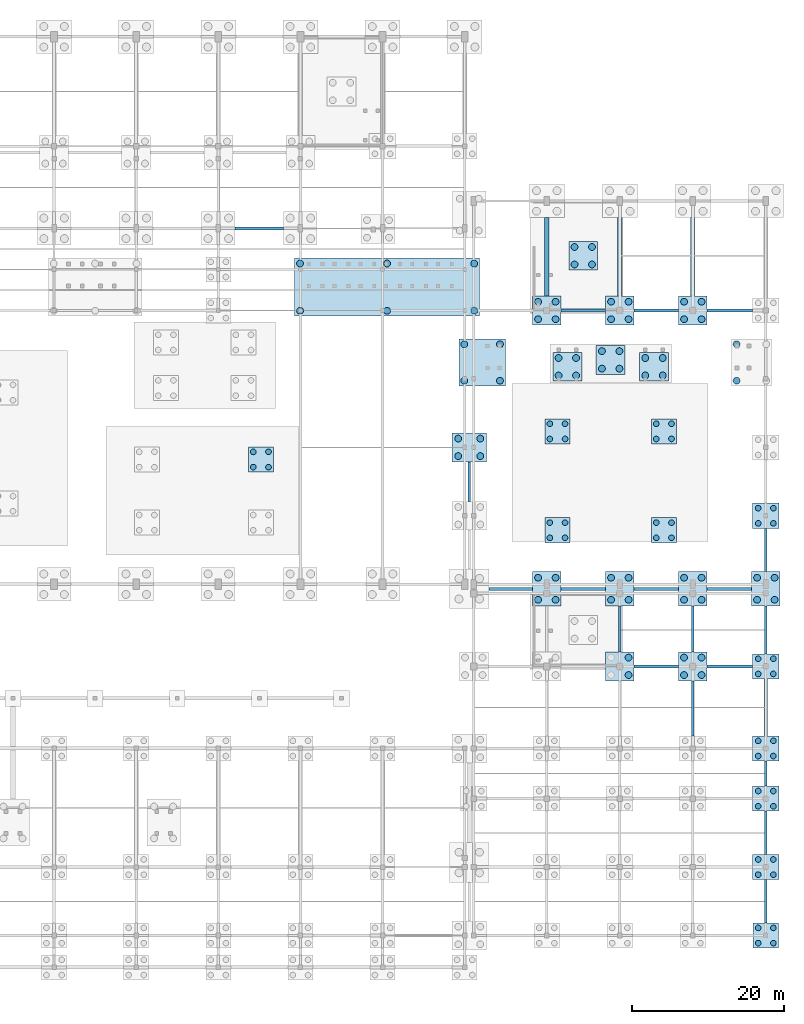
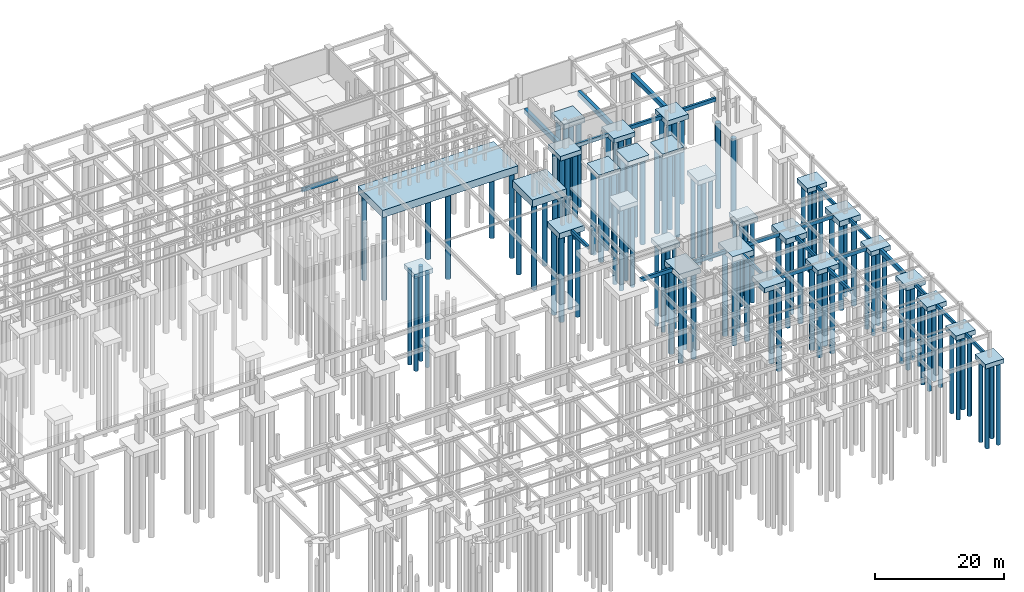
# One storey, part 9 of 33: 110 piles, 50 footings.
"""IFC4 building model written with IfcOpenShell, lengths in metres."""

from ifc_helpers import new_model, si_unit, direction, frame, origin, origin_2d, place, context, subcontext, project, spatial, rectangle, circle, extrude, material, material_profile, profile_set, type_object, element, save


model = new_model("IFC4")

# Units and contexts
model_context = context("Model", 3, precision=1e-05, world=origin(), true_north=direction((0.0, 1.0)))
body_context = subcontext(model_context, "Body", "Model", "MODEL_VIEW")
ifc_project = project(units=[si_unit("LENGTHUNIT", "METRE"), si_unit("AREAUNIT", "SQUARE_METRE"), si_unit("VOLUMEUNIT", "CUBIC_METRE"), si_unit("PLANEANGLEUNIT", "RADIAN"), si_unit("MASSUNIT", "GRAM", prefix="KILO")], contexts=[model_context])

# Site, building, storey
site_placement = place(None, origin())
site = spatial("IfcSite", under=ifc_project, at=site_placement, CompositionType="ELEMENT")
building_placement = place(site_placement, origin())
building = spatial("IfcBuilding", under=site, at=building_placement, Name="Suirenkawa Promenade Aquatics Centre", CompositionType="ELEMENT")
storey_placement = place(building_placement, frame((0.0, 0.0, -4.800048828125)))
storey = spatial("IfcBuildingStorey", under=building, at=storey_placement, Name="B1", CompositionType="ELEMENT", Elevation=-4.800048828125)

# Footings
ifc_material = material(Name="Concrete M35", Category="concrete")
footing_type_1 = type_object("IfcFootingType", Name="FT-GB-350x650", PredefinedType="FOOTING_BEAM", material=ifc_material)
footing_1_placement = place(storey_placement, frame((155.39990234375, 63.89990234375, -0.64990234375), z_axis=(0.0, 0.0, 1.0), x_axis=(0.0, 1.0, 0.0)))
element("IfcFooting", 1, at=footing_1_placement, inside=storey, type_object=footing_type_1, Name="Ground tie beam GB-06 GB-0287", PredefinedType="FOOTING_BEAM", context=body_context, shape_type="SweptSolid", body=[
    extrude(rectangle(XDim=5.199951171875, YDim=0.35009765625, at=origin_2d()), origin(), (0.0, 0.0, 1.0), 0.64990234375),
])
footing_2_placement = place(storey_placement, frame((175.199951171875, 44.52490234375, -0.64990234375), z_axis=(0.0, 0.0, 1.0), x_axis=(0.0, 1.0, 0.0)))
element("IfcFooting", 2, at=footing_2_placement, inside=storey, type_object=footing_type_1, Name="Ground tie beam GB-06 GB-0298", PredefinedType="FOOTING_BEAM", context=body_context, shape_type="SweptSolid", body=[
    extrude(rectangle(XDim=6.050048828125, YDim=0.35009765625, at=origin_2d()), origin(), (0.0, 0.0, 1.0), 0.64990234375),
])
footing_3_placement = place(storey_placement, frame((184.800048828125, 34.074951171875, -0.64990234375), z_axis=(0.0, 0.0, 1.0), x_axis=(0.0, 1.0, 0.0)))
element("IfcFooting", 3, at=footing_3_placement, inside=storey, type_object=footing_type_1, Name="Ground tie beam GB-06 GB-0303", PredefinedType="FOOTING_BEAM", context=body_context, shape_type="SweptSolid", body=[
    extrude(rectangle(XDim=7.25, YDim=0.35009765625, at=origin_2d()), origin(), (0.0, 0.0, 1.0), 0.64990234375),
])
footing_4_placement = place(storey_placement, frame((184.800048828125, 44.52490234375, -0.64990234375), z_axis=(0.0, 0.0, 1.0), x_axis=(0.0, 1.0, 0.0)))
element("IfcFooting", 4, at=footing_4_placement, inside=storey, type_object=footing_type_1, Name="Ground tie beam GB-06 GB-0304", PredefinedType="FOOTING_BEAM", context=body_context, shape_type="SweptSolid", body=[
    extrude(rectangle(XDim=6.050048828125, YDim=0.35009765625, at=origin_2d()), origin(), (0.0, 0.0, 1.0), 0.64990234375),
])
for number, where, z_axis, x_axis, name in (
    (5, (194.39990234375, 8.699951171875, -0.64990234375), (0.0, 0.0, 1.0), (0.0, 1.0, 0.0), "Ground tie beam GB-06 GB-0306"),
    (6, (194.39990234375, 17.699951171875, -0.64990234375), (0.0, 0.0, 1.0), (0.0, 1.0, 0.0), "Ground tie beam GB-06 GB-0307"),
):
    element("IfcFooting", number, at=place(storey_placement, frame(where, z_axis=z_axis, x_axis=x_axis)), inside=storey, type_object=footing_type_1, Name=name, PredefinedType="FOOTING_BEAM", context=body_context, shape_type="SweptSolid", body=[
        extrude(rectangle(XDim=5.699951171875, YDim=0.35009765625, at=origin_2d()), origin(), (0.0, 0.0, 1.0), 0.64990234375),
    ])
footing_5_placement = place(storey_placement, frame((194.39990234375, 25.5, -0.64990234375), z_axis=(0.0, 0.0, 1.0), x_axis=(0.0, 1.0, 0.0)))
element("IfcFooting", 7, at=footing_5_placement, inside=storey, type_object=footing_type_1, Name="Ground tie beam GB-06 GB-0308", PredefinedType="FOOTING_BEAM", context=body_context, shape_type="SweptSolid", body=[
    extrude(rectangle(XDim=3.300048828125, YDim=0.35009765625, at=origin_2d()), origin(), (0.0, 0.0, 1.0), 0.64990234375),
])
footing_6_placement = place(storey_placement, frame((194.39990234375, 44.39990234375, -0.64990234375), z_axis=(0.0, 0.0, 1.0), x_axis=(0.0, 1.0, 0.0)))
element("IfcFooting", 8, at=footing_6_placement, inside=storey, type_object=footing_type_1, Name="Ground tie beam GB-06 GB-0310", PredefinedType="FOOTING_BEAM", context=body_context, shape_type="SweptSolid", body=[
    extrude(rectangle(XDim=6.300048828125, YDim=0.35009765625, at=origin_2d()), origin(), (0.0, 0.0, 1.0), 0.64990234375),
])
footing_7_placement = place(storey_placement, frame((194.39990234375, 54.89990234375, -0.64990234375), z_axis=(0.0, 0.0, 1.0), x_axis=(0.0, 1.0, 0.0)))
element("IfcFooting", 9, at=footing_7_placement, inside=storey, type_object=footing_type_1, Name="Ground tie beam GB-06 GB-0311", PredefinedType="FOOTING_BEAM", context=body_context, shape_type="SweptSolid", body=[
    extrude(rectangle(XDim=5.699951171875, YDim=0.35009765625, at=origin_2d()), origin(), (0.0, 0.0, 1.0), 0.64990234375),
])
footing_type_2 = type_object("IfcFootingType", Name="FT-GB-400x700", PredefinedType="FOOTING_BEAM", material=ifc_material)
footing_8_placement = place(storey_placement, frame((180.0, 39.60009765625, -0.69970703125), z_axis=(0.0, 0.0, 1.0), x_axis=(1.0, 0.0, 0.0)))
element("IfcFooting", 10, at=footing_8_placement, inside=storey, type_object=footing_type_2, Name="Ground tie beam GB-01 GB-0079", PredefinedType="FOOTING_BEAM", context=body_context, shape_type="SweptSolid", body=[
    extrude(rectangle(XDim=5.800048828125, YDim=0.39990234375, at=origin_2d()), origin(), (0.0, 0.0, 1.0), 0.699951171875),
])
footing_9_placement = place(storey_placement, frame((189.675048828125, 39.60009765625, -0.69970703125), z_axis=(0.0, 0.0, 1.0), x_axis=(1.0, 0.0, 0.0)))
element("IfcFooting", 11, at=footing_9_placement, inside=storey, type_object=footing_type_2, Name="Ground tie beam GB-01 GB-0080", PredefinedType="FOOTING_BEAM", context=body_context, shape_type="SweptSolid", body=[
    extrude(rectangle(XDim=5.949951171875, YDim=0.39990234375, at=origin_2d()), origin(), (0.0, 0.0, 1.0), 0.699951171875),
])
footing_10_placement = place(storey_placement, frame((160.85009765625, 49.800048828125, -0.69970703125), z_axis=(0.0, 0.0, 1.0), x_axis=(1.0, 0.0, 0.0)))
element("IfcFooting", 12, at=footing_10_placement, inside=storey, type_object=footing_type_2, Name="Ground tie beam GB-01 GB-0084", PredefinedType="FOOTING_BEAM", context=body_context, shape_type="SweptSolid", body=[
    extrude(rectangle(XDim=5.699951171875, YDim=0.39990234375, at=origin_2d()), origin(), (0.0, 0.0, 1.0), 0.699951171875),
])
for number, where, z_axis, x_axis, name in (
    (13, (170.39990234375, 49.800048828125, -0.69970703125), (0.0, 0.0, 1.0), (1.0, 0.0, 0.0), "Ground tie beam GB-01 GB-0085"),
    (14, (180.0, 49.800048828125, -0.69970703125), (0.0, 0.0, 1.0), (1.0, 0.0, 0.0), "Ground tie beam GB-01 GB-0086"),
    (15, (189.60009765625, 49.800048828125, -0.69970703125), (0.0, 0.0, 1.0), (1.0, 0.0, 0.0), "Ground tie beam GB-01 GB-0087"),
    (16, (170.39990234375, 86.39990234375, -0.69970703125), (0.0, 0.0, 1.0), (1.0, 0.0, 0.0), "Ground tie beam GB-01 GB-0117"),
    (17, (180.0, 86.39990234375, -0.69970703125), (0.0, 0.0, 1.0), (1.0, 0.0, 0.0), "Ground tie beam GB-01 GB-0118"),
):
    element("IfcFooting", number, at=place(storey_placement, frame(where, z_axis=z_axis, x_axis=x_axis)), inside=storey, type_object=footing_type_2, Name=name, PredefinedType="FOOTING_BEAM", context=body_context, shape_type="SweptSolid", body=[
        extrude(rectangle(XDim=5.800048828125, YDim=0.39990234375, at=origin_2d()), origin(), (0.0, 0.0, 1.0), 0.699951171875),
    ])
footing_11_placement = place(storey_placement, frame((189.675048828125, 86.39990234375, -0.69970703125), z_axis=(0.0, 0.0, 1.0), x_axis=(1.0, 0.0, 0.0)))
element("IfcFooting", 18, at=footing_11_placement, inside=storey, type_object=footing_type_2, Name="Ground tie beam GB-01 GB-0119", PredefinedType="FOOTING_BEAM", context=body_context, shape_type="SweptSolid", body=[
    extrude(rectangle(XDim=5.949951171875, YDim=0.39990234375, at=origin_2d()), origin(), (0.0, 0.0, 1.0), 0.699951171875),
])
footing_12_placement = place(storey_placement, frame((127.800048828125, 97.199951171875, -0.69970703125), z_axis=(0.0, 0.0, 1.0), x_axis=(1.0, 0.0, 0.0)))
element("IfcFooting", 19, at=footing_12_placement, inside=storey, type_object=footing_type_2, Name="Ground tie beam GB-01 GB-0134", PredefinedType="FOOTING_BEAM", context=body_context, shape_type="SweptSolid", body=[
    extrude(rectangle(XDim=6.39990234375, YDim=0.39990234375, at=origin_2d()), origin(), (0.0, 0.0, 1.0), 0.699951171875),
])
footing_type_3 = type_object("IfcFootingType", Name="FT-GB-500x800", PredefinedType="FOOTING_BEAM", material=ifc_material)
footing_13_placement = place(storey_placement, frame((194.39990234375, 34.199951171875, -0.7998046875), z_axis=(0.0, 0.0, 1.0), x_axis=(0.0, 1.0, 0.0)))
element("IfcFooting", 20, at=footing_13_placement, inside=storey, type_object=footing_type_3, Name="Ground tie beam GB-03 GB-0309", PredefinedType="FOOTING_BEAM", context=body_context, shape_type="SweptSolid", body=[
    extrude(rectangle(XDim=7.5, YDim=0.5, at=origin_2d()), origin(), (0.0, 0.0, 1.0), 0.800048828125),
])
footing_type_4 = type_object("IfcFootingType", Name="FT-GB-600x900", PredefinedType="FOOTING_BEAM", material=ifc_material)
for number, where, z_axis, x_axis, name in (
    (21, (165.60009765625, 93.449951171875, -0.89990234375), (0.0, 0.0, 1.0), (0.0, 1.0, 0.0), "Ground tie beam GB-05 GB-0293"),
    (22, (175.199951171875, 93.449951171875, -0.89990234375), (0.0, 0.0, 1.0), (0.0, 1.0, 0.0), "Ground tie beam GB-05 GB-0299"),
    (23, (184.800048828125, 93.449951171875, -0.89990234375), (0.0, 0.0, 1.0), (0.0, 1.0, 0.0), "Ground tie beam GB-05 GB-0305"),
):
    element("IfcFooting", number, at=place(storey_placement, frame(where, z_axis=z_axis, x_axis=x_axis)), inside=storey, type_object=footing_type_4, Name=name, PredefinedType="FOOTING_BEAM", context=body_context, shape_type="SweptSolid", body=[
        extrude(rectangle(XDim=10.300048828125, YDim=0.60009765625, at=origin_2d()), origin(), (0.0, 0.0, 1.0), 0.89990234375),
    ])
footing_type_5 = type_object("IfcFootingType", Name="FT-PC-3300x3300x850", PredefinedType="PILE_CAP", material=ifc_material)
footing_14_placement = place(storey_placement, frame((194.39990234375, 4.199951171875, -0.85009765625), z_axis=(0.0, 0.0, 1.0), x_axis=(1.0, 0.0, 0.0)))
element("IfcFooting", 24, at=footing_14_placement, inside=storey, type_object=footing_type_5, Name="Foundation PC-02 CAP-032", PredefinedType="PILE_CAP", context=body_context, shape_type="SweptSolid", body=[
    extrude(rectangle(XDim=3.300048828125, YDim=3.300048828125, at=origin_2d()), origin(), (0.0, 0.0, 1.0), 0.85009765625),
])
footing_type_6 = type_object("IfcFootingType", Name="FT-PC-3500x3300x880", PredefinedType="PILE_CAP", material=ifc_material)
for number, where, z_axis, x_axis, name in (
    (25, (194.39990234375, 13.199951171875, -0.8798828125), (0.0, 0.0, 1.0), (1.0, 0.0, 0.0), "Foundation PC-03 CAP-050"),
    (26, (194.39990234375, 22.199951171875, -0.8798828125), (0.0, 0.0, 1.0), (1.0, 0.0, 0.0), "Foundation PC-03 CAP-063"),
    (27, (194.39990234375, 28.800048828125, -0.8798828125), (0.0, 0.0, 1.0), (1.0, 0.0, 0.0), "Foundation PC-03 CAP-081"),
    (28, (194.39990234375, 39.60009765625, -0.8798828125), (0.0, 0.0, 1.0), (1.0, 0.0, 0.0), "Foundation PC-03 CAP-098"),
    (29, (194.39990234375, 59.39990234375, -0.8798828125), (0.0, 0.0, 1.0), (1.0, 0.0, 0.0), "Foundation PC-03 CAP-126"),
):
    element("IfcFooting", number, at=place(storey_placement, frame(where, z_axis=z_axis, x_axis=x_axis)), inside=storey, type_object=footing_type_6, Name=name, PredefinedType="PILE_CAP", context=body_context, shape_type="SweptSolid", body=[
        extrude(rectangle(XDim=3.5, YDim=3.300048828125, at=origin_2d()), origin(), (0.0, 0.0, 1.0), 0.8798828125),
    ])
footing_type_7 = type_object("IfcFootingType", Name="FT-PC-3800x3800x900", PredefinedType="PILE_CAP", material=ifc_material)
for number, where, z_axis, x_axis, name in (
    (30, (175.199951171875, 39.60009765625, -0.89990234375), (0.0, 0.0, 1.0), (1.0, 0.0, 0.0), "Foundation PC-04 CAP-096"),
    (31, (184.800048828125, 39.60009765625, -0.89990234375), (0.0, 0.0, 1.0), (1.0, 0.0, 0.0), "Foundation PC-04 CAP-097"),
    (32, (165.60009765625, 86.39990234375, -0.89990234375), (0.0, 0.0, 1.0), (1.0, 0.0, 0.0), "Foundation PC-04 CAP-155"),
    (33, (175.199951171875, 86.39990234375, -0.89990234375), (0.0, 0.0, 1.0), (1.0, 0.0, 0.0), "Foundation PC-04 CAP-156"),
    (34, (184.800048828125, 86.39990234375, -0.89990234375), (0.0, 0.0, 1.0), (1.0, 0.0, 0.0), "Foundation PC-04 CAP-157"),
    (35, (168.300048828125, 79.0, -0.89990234375), (0.0, 0.0, 1.0), (1.0, 0.0, 0.0), "Foundation PC-04 CAP-241"),
    (36, (174.0, 79.89990234375, -0.89990234375), (0.0, 0.0, 1.0), (1.0, 0.0, 0.0), "Foundation PC-04 CAP-242"),
    (37, (179.699951171875, 79.0, -0.89990234375), (0.0, 0.0, 1.0), (1.0, 0.0, 0.0), "Foundation PC-04 CAP-243"),
    (38, (170.39990234375, 93.60009765625, -0.89990234375), (0.0, 0.0, 1.0), (1.0, 0.0, 0.0), "Foundation PC-04 CAP-246"),
):
    element("IfcFooting", number, at=place(storey_placement, frame(where, z_axis=z_axis, x_axis=x_axis)), inside=storey, type_object=footing_type_7, Name=name, PredefinedType="PILE_CAP", context=body_context, shape_type="SweptSolid", body=[
        extrude(rectangle(XDim=3.800048828125, YDim=3.800048828125, at=origin_2d()), origin(), (0.0, 0.0, 1.0), 0.89990234375),
    ])
footing_type_8 = type_object("IfcFootingType", Name="FT-PC-DIVE-3300x3300x850", PredefinedType="PILE_CAP", material=ifc_material)
for number, where, z_axis, x_axis, name in (
    (39, (167.0, 57.5, -1.5), (0.0, 0.0, 1.0), (1.0, 0.0, 0.0), "Foundation PC-11 CAP-237"),
    (40, (167.0, 70.5, -1.5), (0.0, 0.0, 1.0), (1.0, 0.0, 0.0), "Foundation PC-11 CAP-238"),
    (41, (181.0, 57.5, -1.5), (0.0, 0.0, 1.0), (1.0, 0.0, 0.0), "Foundation PC-11 CAP-239"),
    (42, (181.0, 70.5, -1.5), (0.0, 0.0, 1.0), (1.0, 0.0, 0.0), "Foundation PC-11 CAP-240"),
):
    element("IfcFooting", number, at=place(storey_placement, frame(where, z_axis=z_axis, x_axis=x_axis)), inside=storey, type_object=footing_type_8, Name=name, PredefinedType="PILE_CAP", context=body_context, shape_type="SweptSolid", body=[
        extrude(rectangle(XDim=3.300048828125, YDim=3.300048828125, at=origin_2d()), origin(), (0.0, 0.0, 1.0), 0.85009765625),
    ])
footing_type_9 = type_object("IfcFootingType", Name="FT-PC-TRAIN-3300x3300x850", PredefinedType="PILE_CAP", material=ifc_material)
footing_15_placement = place(storey_placement, frame((128.0, 66.800048828125, 1.570068359375), z_axis=(0.0, 0.0, 1.0), x_axis=(1.0, 0.0, 0.0)))
element("IfcFooting", 43, at=footing_15_placement, inside=storey, type_object=footing_type_9, Name="Foundation PC-09 CAP-232", PredefinedType="PILE_CAP", context=body_context, shape_type="SweptSolid", body=[
    extrude(rectangle(XDim=3.300048828125, YDim=3.300048828125, at=origin_2d()), origin(), (0.0, 0.0, 1.0), 0.85009765625),
])
footing_type_10 = type_object("IfcFootingType", Name="FT-PCC-24300x7620", PredefinedType="PILE_CAP", material=ifc_material)
footing_16_placement = place(storey_placement, frame((144.60009765625, 89.462890625, -1.39990234375), z_axis=(0.0, 0.0, 1.0), x_axis=(1.0, 0.0, 0.0)))
element("IfcFooting", 44, at=footing_16_placement, inside=storey, type_object=footing_type_10, Name="Foundation PCC-04 CAP-154", PredefinedType="PILE_CAP", context=body_context, shape_type="SweptSolid", body=[
    extrude(rectangle(XDim=24.300048828125, YDim=7.6201171875, at=origin_2d()), origin(), (0.0, 0.0, 1.0), 1.39990234375),
])
footing_type_11 = type_object("IfcFootingType", Name="FT-PCC-3800x4500x1050", PredefinedType="PILE_CAP", material=ifc_material)
for number, where, z_axis, x_axis, name in (
    (45, (165.60009765625, 49.800048828125, -1.0498046875), (0.0, 0.0, 1.0), (1.0, 0.0, 0.0), "Foundation PCC-02 CAP-106"),
    (46, (175.199951171875, 49.800048828125, -1.0498046875), (0.0, 0.0, 1.0), (1.0, 0.0, 0.0), "Foundation PCC-02 CAP-107"),
    (47, (184.800048828125, 49.800048828125, -1.0498046875), (0.0, 0.0, 1.0), (1.0, 0.0, 0.0), "Foundation PCC-02 CAP-108"),
    (48, (194.39990234375, 49.800048828125, -1.0498046875), (0.0, 0.0, 1.0), (1.0, 0.0, 0.0), "Foundation PCC-02 CAP-109"),
):
    element("IfcFooting", number, at=place(storey_placement, frame(where, z_axis=z_axis, x_axis=x_axis)), inside=storey, type_object=footing_type_11, Name=name, PredefinedType="PILE_CAP", context=body_context, shape_type="SweptSolid", body=[
        extrude(rectangle(XDim=3.800048828125, YDim=4.5, at=origin_2d()), origin(), (0.0, 0.0, 1.0), 1.050048828125),
    ])
footing_type_12 = type_object("IfcFootingType", Name="FT-PCC-4500x3800x1050", PredefinedType="PILE_CAP", material=ifc_material)
footing_17_placement = place(storey_placement, frame((155.39990234375, 68.39990234375, -1.0498046875), z_axis=(0.0, 0.0, 1.0), x_axis=(1.0, 0.0, 0.0)))
element("IfcFooting", 49, at=footing_17_placement, inside=storey, type_object=footing_type_12, Name="Foundation PCC-01 CAP-133", PredefinedType="PILE_CAP", context=body_context, shape_type="SweptSolid", body=[
    extrude(rectangle(XDim=4.5, YDim=3.800048828125, at=origin_2d()), origin(), (0.0, 0.0, 1.0), 1.050048828125),
])
footing_type_13 = type_object("IfcFootingType", Name="FT-PCC-6090x6200", PredefinedType="PILE_CAP", material=ifc_material)
footing_18_placement = place(storey_placement, frame((157.094970703125, 79.56201171875, -1.39990234375), z_axis=(0.0, 0.0, 1.0), x_axis=(1.0, 0.0, 0.0)))
element("IfcFooting", 50, at=footing_18_placement, inside=storey, type_object=footing_type_13, Name="Foundation PCC-04 CAP-141", PredefinedType="PILE_CAP", context=body_context, shape_type="SweptSolid", body=[
    extrude(rectangle(XDim=6.090087890625, YDim=6.199951171875, at=origin_2d()), origin(), (0.0, 0.0, 1.0), 1.39990234375),
])

# Piles
ifc_material_profile_1 = material_profile(ifc_material, circle(Radius=0.375, at=origin_2d()), Name="PILE D750", Category="concrete")
ifc_profile_set_1 = profile_set([ifc_material_profile_1], Name="Concrete M35")
pile_type_1 = type_object("IfcPileType", Name="PT-BORED-750", PredefinedType="BORED", material=ifc_profile_set_1)
for number, where, z_axis, x_axis, name in (
    (51, (193.39990234375, 3.199951171875, -0.75), (0.0, 0.0, -1.0), (1.0, 0.0, 0.0), "Bored pile PL-02 PL-0107"),
    (52, (193.39990234375, 5.199951171875, -0.75), (0.0, 0.0, -1.0), (1.0, 0.0, 0.0), "Bored pile PL-02 PL-0108"),
    (53, (195.39990234375, 3.199951171875, -0.75), (0.0, 0.0, -1.0), (1.0, 0.0, 0.0), "Bored pile PL-02 PL-0109"),
    (54, (195.39990234375, 5.199951171875, -0.75), (0.0, 0.0, -1.0), (1.0, 0.0, 0.0), "Bored pile PL-02 PL-0110"),
    (55, (193.39990234375, 12.199951171875, -0.75), (0.0, 0.0, -1.0), (1.0, 0.0, 0.0), "Bored pile PL-02 PL-0179"),
    (56, (193.39990234375, 14.199951171875, -0.75), (0.0, 0.0, -1.0), (1.0, 0.0, 0.0), "Bored pile PL-02 PL-0180"),
    (57, (195.39990234375, 12.199951171875, -0.75), (0.0, 0.0, -1.0), (1.0, 0.0, 0.0), "Bored pile PL-02 PL-0181"),
    (58, (195.39990234375, 14.199951171875, -0.75), (0.0, 0.0, -1.0), (1.0, 0.0, 0.0), "Bored pile PL-02 PL-0182"),
    (59, (193.39990234375, 21.199951171875, -0.75), (0.0, 0.0, -1.0), (1.0, 0.0, 0.0), "Bored pile PL-02 PL-0231"),
    (60, (193.39990234375, 23.199951171875, -0.75), (0.0, 0.0, -1.0), (1.0, 0.0, 0.0), "Bored pile PL-02 PL-0232"),
    (61, (195.39990234375, 21.199951171875, -0.75), (0.0, 0.0, -1.0), (1.0, 0.0, 0.0), "Bored pile PL-02 PL-0233"),
    (62, (195.39990234375, 23.199951171875, -0.75), (0.0, 0.0, -1.0), (1.0, 0.0, 0.0), "Bored pile PL-02 PL-0234"),
    (63, (193.39990234375, 27.800048828125, -0.75), (0.0, 0.0, -1.0), (1.0, 0.0, 0.0), "Bored pile PL-02 PL-0305"),
    (64, (193.39990234375, 29.800048828125, -0.75), (0.0, 0.0, -1.0), (1.0, 0.0, 0.0), "Bored pile PL-02 PL-0306"),
    (65, (195.39990234375, 27.800048828125, -0.75), (0.0, 0.0, -1.0), (1.0, 0.0, 0.0), "Bored pile PL-02 PL-0307"),
    (66, (195.39990234375, 29.800048828125, -0.75), (0.0, 0.0, -1.0), (1.0, 0.0, 0.0), "Bored pile PL-02 PL-0308"),
    (67, (193.39990234375, 38.60009765625, -0.75), (0.0, 0.0, -1.0), (1.0, 0.0, 0.0), "Bored pile PL-02 PL-0349"),
    (68, (193.39990234375, 40.60009765625, -0.75), (0.0, 0.0, -1.0), (1.0, 0.0, 0.0), "Bored pile PL-02 PL-0350"),
    (69, (195.39990234375, 38.60009765625, -0.75), (0.0, 0.0, -1.0), (1.0, 0.0, 0.0), "Bored pile PL-02 PL-0351"),
    (70, (195.39990234375, 40.60009765625, -0.75), (0.0, 0.0, -1.0), (1.0, 0.0, 0.0), "Bored pile PL-02 PL-0352"),
    (71, (193.39990234375, 58.39990234375, -0.75), (0.0, 0.0, -1.0), (1.0, 0.0, 0.0), "Bored pile PL-02 PL-0461"),
    (72, (193.39990234375, 60.39990234375, -0.75), (0.0, 0.0, -1.0), (1.0, 0.0, 0.0), "Bored pile PL-02 PL-0462"),
    (73, (195.39990234375, 58.39990234375, -0.75), (0.0, 0.0, -1.0), (1.0, 0.0, 0.0), "Bored pile PL-02 PL-0463"),
    (74, (195.39990234375, 60.39990234375, -0.75), (0.0, 0.0, -1.0), (1.0, 0.0, 0.0), "Bored pile PL-02 PL-0464"),
):
    element("IfcPile", number, at=place(storey_placement, frame(where, z_axis=z_axis, x_axis=x_axis)), inside=storey, type_object=pile_type_1, Name=name, PredefinedType="BORED", context=body_context, shape_type="SweptSolid", body=[
        extrude(circle(Radius=0.375, at=origin_2d()), origin(), (0.0, 0.0, 1.0), 15.60009765625),
    ])
for number, where, z_axis, x_axis, name in (
    (75, (127.0, 65.800048828125, 1.670166015625), (0.0, 0.0, -1.0), (1.0, 0.0, 0.0), "Bored pile PL-02 PL-0891"),
    (76, (127.0, 67.800048828125, 1.670166015625), (0.0, 0.0, -1.0), (1.0, 0.0, 0.0), "Bored pile PL-02 PL-0892"),
    (77, (129.0, 65.800048828125, 1.670166015625), (0.0, 0.0, -1.0), (1.0, 0.0, 0.0), "Bored pile PL-02 PL-0893"),
    (78, (129.0, 67.800048828125, 1.670166015625), (0.0, 0.0, -1.0), (1.0, 0.0, 0.0), "Bored pile PL-02 PL-0894"),
):
    element("IfcPile", number, at=place(storey_placement, frame(where, z_axis=z_axis, x_axis=x_axis)), inside=storey, type_object=pile_type_1, Name=name, PredefinedType="BORED", context=body_context, shape_type="SweptSolid", body=[
        extrude(circle(Radius=0.375, at=origin_2d()), origin(), (0.0, 0.0, 1.0), 18.02001953125),
    ])
for number, where, z_axis, x_axis, name in (
    (79, (166.0, 56.5, -1.39990234375), (0.0, 0.0, -1.0), (1.0, 0.0, 0.0), "Bored pile PL-02 PL-0911"),
    (80, (166.0, 58.5, -1.39990234375), (0.0, 0.0, -1.0), (1.0, 0.0, 0.0), "Bored pile PL-02 PL-0912"),
    (81, (168.0, 56.5, -1.39990234375), (0.0, 0.0, -1.0), (1.0, 0.0, 0.0), "Bored pile PL-02 PL-0913"),
    (82, (168.0, 58.5, -1.39990234375), (0.0, 0.0, -1.0), (1.0, 0.0, 0.0), "Bored pile PL-02 PL-0914"),
    (83, (166.0, 69.5, -1.39990234375), (0.0, 0.0, -1.0), (1.0, 0.0, 0.0), "Bored pile PL-02 PL-0915"),
    (84, (166.0, 71.5, -1.39990234375), (0.0, 0.0, -1.0), (1.0, 0.0, 0.0), "Bored pile PL-02 PL-0916"),
    (85, (168.0, 69.5, -1.39990234375), (0.0, 0.0, -1.0), (1.0, 0.0, 0.0), "Bored pile PL-02 PL-0917"),
    (86, (168.0, 71.5, -1.39990234375), (0.0, 0.0, -1.0), (1.0, 0.0, 0.0), "Bored pile PL-02 PL-0918"),
    (87, (180.0, 56.5, -1.39990234375), (0.0, 0.0, -1.0), (1.0, 0.0, 0.0), "Bored pile PL-02 PL-0919"),
    (88, (180.0, 58.5, -1.39990234375), (0.0, 0.0, -1.0), (1.0, 0.0, 0.0), "Bored pile PL-02 PL-0920"),
    (89, (182.0, 56.5, -1.39990234375), (0.0, 0.0, -1.0), (1.0, 0.0, 0.0), "Bored pile PL-02 PL-0921"),
    (90, (182.0, 58.5, -1.39990234375), (0.0, 0.0, -1.0), (1.0, 0.0, 0.0), "Bored pile PL-02 PL-0922"),
    (91, (180.0, 69.5, -1.39990234375), (0.0, 0.0, -1.0), (1.0, 0.0, 0.0), "Bored pile PL-02 PL-0923"),
    (92, (180.0, 71.5, -1.39990234375), (0.0, 0.0, -1.0), (1.0, 0.0, 0.0), "Bored pile PL-02 PL-0924"),
    (93, (182.0, 69.5, -1.39990234375), (0.0, 0.0, -1.0), (1.0, 0.0, 0.0), "Bored pile PL-02 PL-0925"),
    (94, (182.0, 71.5, -1.39990234375), (0.0, 0.0, -1.0), (1.0, 0.0, 0.0), "Bored pile PL-02 PL-0926"),
):
    element("IfcPile", number, at=place(storey_placement, frame(where, z_axis=z_axis, x_axis=x_axis)), inside=storey, type_object=pile_type_1, Name=name, PredefinedType="BORED", context=body_context, shape_type="SweptSolid", body=[
        extrude(circle(Radius=0.375, at=origin_2d()), origin(), (0.0, 0.0, 1.0), 15.60009765625),
    ])
ifc_material_profile_2 = material_profile(ifc_material, circle(Radius=0.449951171875, at=origin_2d()), Name="PILE D900", Category="concrete")
ifc_profile_set_2 = profile_set([ifc_material_profile_2], Name="Concrete M35")
pile_type_2 = type_object("IfcPileType", Name="PT-BORED-900", PredefinedType="BORED", material=ifc_profile_set_2)
for number, where, z_axis, x_axis, name in (
    (95, (176.35009765625, 38.449951171875, -0.800048828125), (0.0, 0.0, -1.0), (1.0, 0.0, 0.0), "Bored pile PL-03 PL-0343"),
    (96, (176.35009765625, 40.75, -0.800048828125), (0.0, 0.0, -1.0), (1.0, 0.0, 0.0), "Bored pile PL-03 PL-0344"),
    (97, (183.64990234375, 38.449951171875, -0.800048828125), (0.0, 0.0, -1.0), (1.0, 0.0, 0.0), "Bored pile PL-03 PL-0345"),
    (98, (183.64990234375, 40.75, -0.800048828125), (0.0, 0.0, -1.0), (1.0, 0.0, 0.0), "Bored pile PL-03 PL-0346"),
    (99, (185.949951171875, 38.449951171875, -0.800048828125), (0.0, 0.0, -1.0), (1.0, 0.0, 0.0), "Bored pile PL-03 PL-0347"),
    (100, (185.949951171875, 40.75, -0.800048828125), (0.0, 0.0, -1.0), (1.0, 0.0, 0.0), "Bored pile PL-03 PL-0348"),
    (101, (154.75, 77.162109375, -1.300048828125), (0.0, 0.0, -1.0), (1.0, 0.0, 0.0), "Bored pile PL-03 PL-0521"),
    (102, (154.75, 81.9619140625, -1.300048828125), (0.0, 0.0, -1.0), (1.0, 0.0, 0.0), "Bored pile PL-03 PL-0522"),
    (103, (159.43994140625, 77.162109375, -1.300048828125), (0.0, 0.0, -1.0), (1.0, 0.0, 0.0), "Bored pile PL-03 PL-0523"),
    (104, (159.43994140625, 81.9619140625, -1.300048828125), (0.0, 0.0, -1.0), (1.0, 0.0, 0.0), "Bored pile PL-03 PL-0524"),
    (105, (190.56005859375, 77.162109375, -1.300048828125), (0.0, 0.0, -1.0), (1.0, 0.0, 0.0), "Bored pile PL-03 PL-0525"),
    (106, (190.56005859375, 81.9619140625, -1.300048828125), (0.0, 0.0, -1.0), (1.0, 0.0, 0.0), "Bored pile PL-03 PL-0526"),
    (107, (133.14990234375, 86.35302734375, -1.300048828125), (0.0, 0.0, -1.0), (1.0, 0.0, 0.0), "Bored pile PL-03 PL-0577"),
    (108, (133.14990234375, 92.572998046875, -1.300048828125), (0.0, 0.0, -1.0), (1.0, 0.0, 0.0), "Bored pile PL-03 PL-0578"),
    (109, (144.60009765625, 86.35302734375, -1.300048828125), (0.0, 0.0, -1.0), (1.0, 0.0, 0.0), "Bored pile PL-03 PL-0579"),
    (110, (144.60009765625, 92.572998046875, -1.300048828125), (0.0, 0.0, -1.0), (1.0, 0.0, 0.0), "Bored pile PL-03 PL-0580"),
    (111, (156.050048828125, 86.35302734375, -1.300048828125), (0.0, 0.0, -1.0), (1.0, 0.0, 0.0), "Bored pile PL-03 PL-0581"),
    (112, (156.050048828125, 92.572998046875, -1.300048828125), (0.0, 0.0, -1.0), (1.0, 0.0, 0.0), "Bored pile PL-03 PL-0582"),
    (113, (164.449951171875, 85.25, -0.800048828125), (0.0, 0.0, -1.0), (1.0, 0.0, 0.0), "Bored pile PL-03 PL-0583"),
    (114, (164.449951171875, 87.550048828125, -0.800048828125), (0.0, 0.0, -1.0), (1.0, 0.0, 0.0), "Bored pile PL-03 PL-0584"),
    (115, (166.75, 85.25, -0.800048828125), (0.0, 0.0, -1.0), (1.0, 0.0, 0.0), "Bored pile PL-03 PL-0585"),
    (116, (166.75, 87.550048828125, -0.800048828125), (0.0, 0.0, -1.0), (1.0, 0.0, 0.0), "Bored pile PL-03 PL-0586"),
    (117, (174.050048828125, 85.25, -0.800048828125), (0.0, 0.0, -1.0), (1.0, 0.0, 0.0), "Bored pile PL-03 PL-0587"),
    (118, (174.050048828125, 87.550048828125, -0.800048828125), (0.0, 0.0, -1.0), (1.0, 0.0, 0.0), "Bored pile PL-03 PL-0588"),
    (119, (176.35009765625, 85.25, -0.800048828125), (0.0, 0.0, -1.0), (1.0, 0.0, 0.0), "Bored pile PL-03 PL-0589"),
    (120, (176.35009765625, 87.550048828125, -0.800048828125), (0.0, 0.0, -1.0), (1.0, 0.0, 0.0), "Bored pile PL-03 PL-0590"),
    (121, (183.64990234375, 85.25, -0.800048828125), (0.0, 0.0, -1.0), (1.0, 0.0, 0.0), "Bored pile PL-03 PL-0591"),
    (122, (183.64990234375, 87.550048828125, -0.800048828125), (0.0, 0.0, -1.0), (1.0, 0.0, 0.0), "Bored pile PL-03 PL-0592"),
    (123, (185.949951171875, 85.25, -0.800048828125), (0.0, 0.0, -1.0), (1.0, 0.0, 0.0), "Bored pile PL-03 PL-0593"),
    (124, (185.949951171875, 87.550048828125, -0.800048828125), (0.0, 0.0, -1.0), (1.0, 0.0, 0.0), "Bored pile PL-03 PL-0594"),
    (125, (167.14990234375, 77.85009765625, -0.800048828125), (0.0, 0.0, -1.0), (1.0, 0.0, 0.0), "Bored pile PL-03 PL-0927"),
    (126, (167.14990234375, 80.14990234375, -0.800048828125), (0.0, 0.0, -1.0), (1.0, 0.0, 0.0), "Bored pile PL-03 PL-0928"),
    (127, (169.449951171875, 77.85009765625, -0.800048828125), (0.0, 0.0, -1.0), (1.0, 0.0, 0.0), "Bored pile PL-03 PL-0929"),
    (128, (169.449951171875, 80.14990234375, -0.800048828125), (0.0, 0.0, -1.0), (1.0, 0.0, 0.0), "Bored pile PL-03 PL-0930"),
    (129, (172.85009765625, 78.75, -0.800048828125), (0.0, 0.0, -1.0), (1.0, 0.0, 0.0), "Bored pile PL-03 PL-0931"),
    (130, (172.85009765625, 81.050048828125, -0.800048828125), (0.0, 0.0, -1.0), (1.0, 0.0, 0.0), "Bored pile PL-03 PL-0932"),
    (131, (175.14990234375, 78.75, -0.800048828125), (0.0, 0.0, -1.0), (1.0, 0.0, 0.0), "Bored pile PL-03 PL-0933"),
    (132, (175.14990234375, 81.050048828125, -0.800048828125), (0.0, 0.0, -1.0), (1.0, 0.0, 0.0), "Bored pile PL-03 PL-0934"),
    (133, (178.550048828125, 77.85009765625, -0.800048828125), (0.0, 0.0, -1.0), (1.0, 0.0, 0.0), "Bored pile PL-03 PL-0935"),
    (134, (178.550048828125, 80.14990234375, -0.800048828125), (0.0, 0.0, -1.0), (1.0, 0.0, 0.0), "Bored pile PL-03 PL-0936"),
    (135, (180.85009765625, 77.85009765625, -0.800048828125), (0.0, 0.0, -1.0), (1.0, 0.0, 0.0), "Bored pile PL-03 PL-0937"),
    (136, (180.85009765625, 80.14990234375, -0.800048828125), (0.0, 0.0, -1.0), (1.0, 0.0, 0.0), "Bored pile PL-03 PL-0938"),
    (137, (169.25, 92.449951171875, -0.800048828125), (0.0, 0.0, -1.0), (1.0, 0.0, 0.0), "Bored pile PL-03 PL-0947"),
    (138, (169.25, 94.75, -0.800048828125), (0.0, 0.0, -1.0), (1.0, 0.0, 0.0), "Bored pile PL-03 PL-0948"),
    (139, (171.550048828125, 92.449951171875, -0.800048828125), (0.0, 0.0, -1.0), (1.0, 0.0, 0.0), "Bored pile PL-03 PL-0949"),
    (140, (171.550048828125, 94.75, -0.800048828125), (0.0, 0.0, -1.0), (1.0, 0.0, 0.0), "Bored pile PL-03 PL-0950"),
):
    element("IfcPile", number, at=place(storey_placement, frame(where, z_axis=z_axis, x_axis=x_axis)), inside=storey, type_object=pile_type_2, Name=name, PredefinedType="BORED", context=body_context, shape_type="SweptSolid", body=[
        extrude(circle(Radius=0.449951171875, at=origin_2d()), origin(), (0.0, 0.0, 1.0), 16.199951171875),
    ])
ifc_material_profile_3 = material_profile(ifc_material, circle(Radius=0.449951171875, at=origin_2d()), Name="PILE D900", Category="concrete")
ifc_profile_set_3 = profile_set([ifc_material_profile_3], Name="Concrete M35")
pile_type_3 = type_object("IfcPileType", Name="PT-BORED-900B", PredefinedType="BORED", material=ifc_profile_set_3)
for number, where, z_axis, x_axis, name in (
    (141, (164.449951171875, 48.35009765625, -0.949951171875), (0.0, 0.0, -1.0), (1.0, 0.0, 0.0), "Bored pile PL-03B PL-0381"),
    (142, (164.449951171875, 51.25, -0.949951171875), (0.0, 0.0, -1.0), (1.0, 0.0, 0.0), "Bored pile PL-03B PL-0382"),
    (143, (166.75, 48.35009765625, -0.949951171875), (0.0, 0.0, -1.0), (1.0, 0.0, 0.0), "Bored pile PL-03B PL-0383"),
    (144, (166.75, 51.25, -0.949951171875), (0.0, 0.0, -1.0), (1.0, 0.0, 0.0), "Bored pile PL-03B PL-0384"),
    (145, (174.050048828125, 48.35009765625, -0.949951171875), (0.0, 0.0, -1.0), (1.0, 0.0, 0.0), "Bored pile PL-03B PL-0385"),
    (146, (174.050048828125, 51.25, -0.949951171875), (0.0, 0.0, -1.0), (1.0, 0.0, 0.0), "Bored pile PL-03B PL-0386"),
    (147, (176.35009765625, 48.35009765625, -0.949951171875), (0.0, 0.0, -1.0), (1.0, 0.0, 0.0), "Bored pile PL-03B PL-0387"),
    (148, (176.35009765625, 51.25, -0.949951171875), (0.0, 0.0, -1.0), (1.0, 0.0, 0.0), "Bored pile PL-03B PL-0388"),
    (149, (183.64990234375, 48.35009765625, -0.949951171875), (0.0, 0.0, -1.0), (1.0, 0.0, 0.0), "Bored pile PL-03B PL-0389"),
    (150, (183.64990234375, 51.25, -0.949951171875), (0.0, 0.0, -1.0), (1.0, 0.0, 0.0), "Bored pile PL-03B PL-0390"),
    (151, (185.949951171875, 48.35009765625, -0.949951171875), (0.0, 0.0, -1.0), (1.0, 0.0, 0.0), "Bored pile PL-03B PL-0391"),
    (152, (185.949951171875, 51.25, -0.949951171875), (0.0, 0.0, -1.0), (1.0, 0.0, 0.0), "Bored pile PL-03B PL-0392"),
    (153, (193.25, 48.35009765625, -0.949951171875), (0.0, 0.0, -1.0), (1.0, 0.0, 0.0), "Bored pile PL-03B PL-0393"),
    (154, (193.25, 51.25, -0.949951171875), (0.0, 0.0, -1.0), (1.0, 0.0, 0.0), "Bored pile PL-03B PL-0394"),
    (155, (195.550048828125, 48.35009765625, -0.949951171875), (0.0, 0.0, -1.0), (1.0, 0.0, 0.0), "Bored pile PL-03B PL-0395"),
    (156, (195.550048828125, 51.25, -0.949951171875), (0.0, 0.0, -1.0), (1.0, 0.0, 0.0), "Bored pile PL-03B PL-0396"),
    (157, (153.949951171875, 67.25, -0.949951171875), (0.0, 0.0, -1.0), (1.0, 0.0, 0.0), "Bored pile PL-03B PL-0489"),
    (158, (153.949951171875, 69.550048828125, -0.949951171875), (0.0, 0.0, -1.0), (1.0, 0.0, 0.0), "Bored pile PL-03B PL-0490"),
    (159, (156.85009765625, 67.25, -0.949951171875), (0.0, 0.0, -1.0), (1.0, 0.0, 0.0), "Bored pile PL-03B PL-0491"),
    (160, (156.85009765625, 69.550048828125, -0.949951171875), (0.0, 0.0, -1.0), (1.0, 0.0, 0.0), "Bored pile PL-03B PL-0492"),
):
    element("IfcPile", number, at=place(storey_placement, frame(where, z_axis=z_axis, x_axis=x_axis)), inside=storey, type_object=pile_type_3, Name=name, PredefinedType="BORED", context=body_context, shape_type="SweptSolid", body=[
        extrude(circle(Radius=0.449951171875, at=origin_2d()), origin(), (0.0, 0.0, 1.0), 16.39990234375),
    ])

save(model, "model.ifc")
